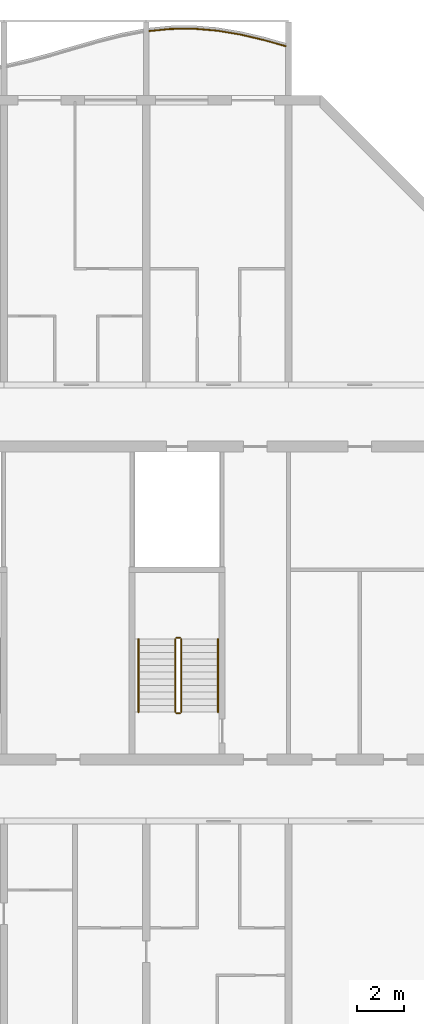
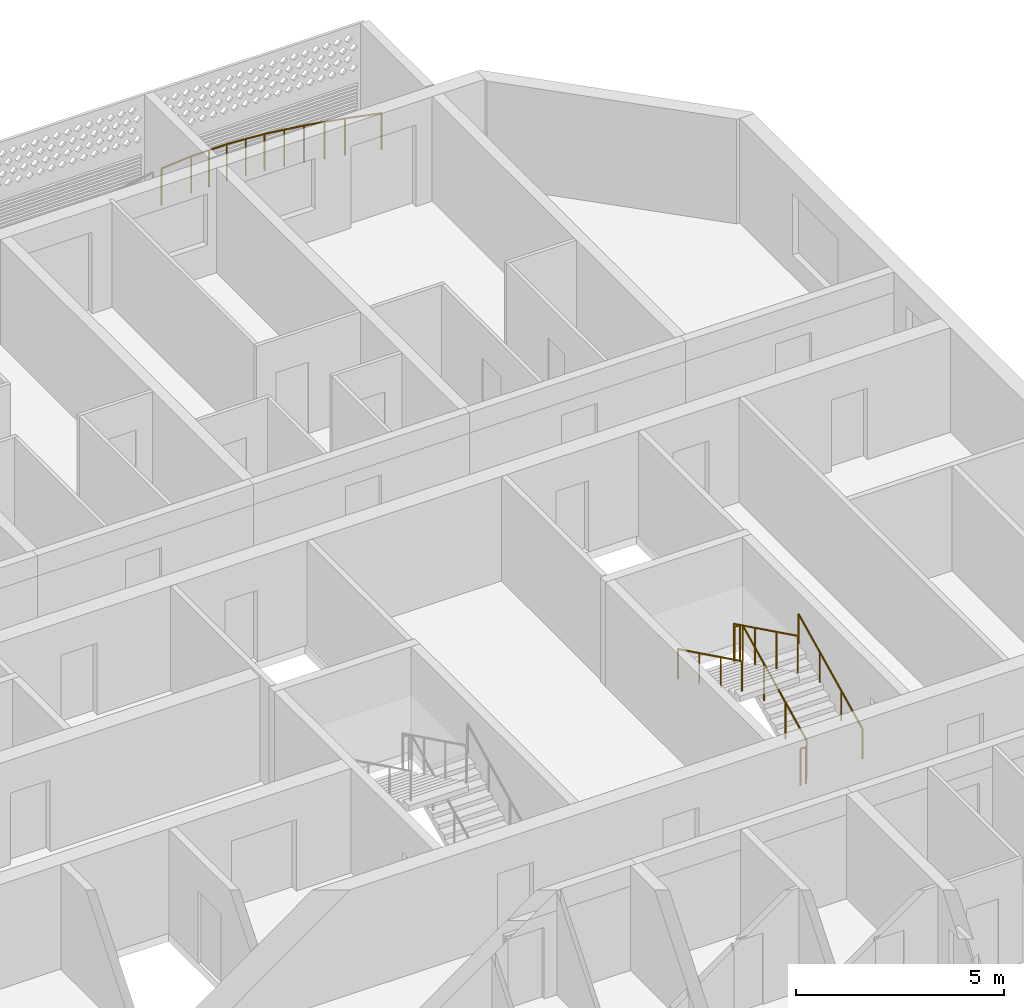
# One storey, part 30 of 31: 7 railings.
"""IFC4 building model written with IfcOpenShell, lengths in metres."""

from ifc_helpers import new_model, si_unit, direction, frame, origin, origin_2d, place, context, subcontext, project, spatial, circle, extrude, material, type_object, element, save


model = new_model("IFC4")

# Units and contexts
model_context = context("Model", 3, precision=1e-05, world=origin(), true_north=direction((0.0, 1.0)))
body_context = subcontext(model_context, "Body", "Model", "MODEL_VIEW")
ifc_project = project(units=[si_unit("LENGTHUNIT", "METRE"), si_unit("AREAUNIT", "SQUARE_METRE"), si_unit("VOLUMEUNIT", "CUBIC_METRE"), si_unit("PLANEANGLEUNIT", "RADIAN"), si_unit("MASSUNIT", "GRAM", prefix="KILO")], contexts=[model_context])

# Site, building, storey
site_placement = place(None, origin())
site = spatial("IfcSite", under=ifc_project, at=site_placement, CompositionType="ELEMENT")
building_placement = place(site_placement, origin())
building = spatial("IfcBuilding", under=site, at=building_placement, Name="Poui Terraces", CompositionType="ELEMENT")
storey_placement = place(building_placement, frame((0.0, 0.0, 142.199951171875)))
storey = spatial("IfcBuildingStorey", under=building, at=storey_placement, Name="L39", CompositionType="ELEMENT", Elevation=142.199951171875)

# Railings
ifc_material_1 = material(Name="Painted steel fretwork", Category="steel")
railing_type_1 = type_object("IfcRailingType", Name="BALCONY GUARD 1100", PredefinedType="GUARDRAIL", material=ifc_material_1)
railing_1_placement = place(storey_placement, frame((78.125, 45.31396484375, 0.0)))
element("IfcRailing", 1, at=railing_1_placement, inside=storey, type_object=railing_type_1, Name="BALCONY GUARD", PredefinedType="GUARDRAIL", context=body_context, shape_type="SweptSolid", body=[
    extrude(circle(Radius=0.02392578125, at=origin_2d()), frame((0.0, 0.0, 1.076171875), z_axis=(0.995048179628, 0.099393763478, 0.0), x_axis=(-0.099393763478, 0.995048179628, 0.0)), (0.0, 0.0, 1.0), 0.87939453125),
    extrude(circle(Radius=0.02392578125, at=origin_2d()), frame((0.875, 0.08740234375, 1.076171875), z_axis=(0.999928452303, 0.011962034708, 0.0), x_axis=(-0.011962034708, 0.999928452303, 0.0)), (0.0, 0.0, 1.0), 1.0),
    extrude(circle(Radius=0.02392578125, at=origin_2d()), frame((1.875, 0.099365234375, 1.076171875), z_axis=(0.99661255374, -0.082240000773, 0.0), x_axis=(0.082240000773, 0.99661255374, 0.0)), (0.0, 0.0, 1.0), 1.00341796875),
    extrude(circle(Radius=0.02392578125, at=origin_2d()), frame((2.875, 0.016845703125, 1.076171875), z_axis=(0.986066669641, -0.166350602715, 0.0), x_axis=(0.166350602715, 0.986066669641, 0.0)), (0.0, 0.0, 1.0), 1.01416015625),
    extrude(circle(Radius=0.02392578125, at=origin_2d()), frame((3.875, -0.15185546875, 1.076171875), z_axis=(0.972979257535, -0.230892538653, 0.0), x_axis=(0.230892538653, 0.972979257535, 0.0)), (0.0, 0.0, 1.0), 1.02783203125),
    extrude(circle(Radius=0.02392578125, at=origin_2d()), frame((4.875, -0.38916015625, 1.076171875), z_axis=(0.963000288712, -0.269500359815, 0.0), x_axis=(0.269500359815, 0.963000288712, 0.0)), (0.0, 0.0, 1.0), 0.90869140625),
    extrude(circle(Radius=0.02099609375, at=origin_2d()), origin(), (0.0, 0.0, 1.0), 1.052001953125),
    extrude(circle(Radius=0.02099609375, at=origin_2d()), frame((0.875, 0.08740234375, 0.0)), (0.0, 0.0, 1.0), 1.052001953125),
    extrude(circle(Radius=0.02099609375, at=origin_2d()), frame((1.375, 0.09326171875, 0.0)), (0.0, 0.0, 1.0), 1.052001953125),
    extrude(circle(Radius=0.02099609375, at=origin_2d()), frame((1.875, 0.099365234375, 0.0)), (0.0, 0.0, 1.0), 1.052001953125),
    extrude(circle(Radius=0.02099609375, at=origin_2d()), frame((2.375, 0.05810546875, 0.0)), (0.0, 0.0, 1.0), 1.052001953125),
    extrude(circle(Radius=0.02099609375, at=origin_2d()), frame((2.875, 0.016845703125, 0.0)), (0.0, 0.0, 1.0), 1.052001953125),
    extrude(circle(Radius=0.02099609375, at=origin_2d()), frame((3.375, -0.0673828125, 0.0)), (0.0, 0.0, 1.0), 1.052001953125),
    extrude(circle(Radius=0.02099609375, at=origin_2d()), frame((3.875, -0.15185546875, 0.0)), (0.0, 0.0, 1.0), 1.052001953125),
    extrude(circle(Radius=0.02099609375, at=origin_2d()), frame((4.375, -0.2705078125, 0.0)), (0.0, 0.0, 1.0), 1.052001953125),
    extrude(circle(Radius=0.02099609375, at=origin_2d()), frame((4.875, -0.38916015625, 0.0)), (0.0, 0.0, 1.0), 1.052001953125),
    extrude(circle(Radius=0.02099609375, at=origin_2d()), frame((5.75, -0.634033203125, 0.0)), (0.0, 0.0, 1.0), 1.052001953125),
])
ifc_material_2 = material(Name="Galvanised steel balustrade", Category="steel")
railing_type_2 = type_object("IfcRailingType", Name="STAIR GUARD 1100", PredefinedType="GUARDRAIL", material=ifc_material_2)
railing_2_placement = place(storey_placement, frame((79.47509765625, 16.60009765625, 0.137451171875)))
element("IfcRailing", 2, at=railing_2_placement, inside=storey, type_object=railing_type_2, Name="L39 ST-E stair guard 1", PredefinedType="GUARDRAIL", context=body_context, shape_type="SweptSolid", body=[
    extrude(circle(Radius=0.02392578125, at=origin_2d()), frame((0.0, 0.0, 1.076171875), z_axis=(0.0, 0.897578036475, 0.440855609512), x_axis=(-1.0, 0.0, 0.0)), (0.0, 0.0, 1.0), 3.43115234375),
    extrude(circle(Radius=0.02099609375, at=origin_2d()), origin(), (0.0, 0.0, 1.0), 1.052001953125),
    extrude(circle(Radius=0.02099609375, at=origin_2d()), frame((0.0, 1.026611328125, 0.504150390625)), (0.0, 0.0, 1.0), 1.052001953125),
    extrude(circle(Radius=0.02099609375, at=origin_2d()), frame((0.0, 2.05322265625, 1.008544921875)), (0.0, 0.0, 1.0), 1.052001953125),
    extrude(circle(Radius=0.02099609375, at=origin_2d()), frame((0.0, 3.079833984375, 1.5126953125)), (0.0, 0.0, 1.0), 1.052001953125),
])
railing_3_placement = place(storey_placement, frame((79.425048828125, 19.72998046875, 1.650146484375)))
element("IfcRailing", 3, at=railing_3_placement, inside=storey, type_object=railing_type_2, Name="L39 ST-E stair guard 2", PredefinedType="GUARDRAIL", context=body_context, shape_type="SweptSolid", body=[
    extrude(circle(Radius=0.02392578125, at=origin_2d()), frame((0.0, 0.0, 1.076171875), z_axis=(-1.0, 0.0, 0.0), x_axis=(0.0, -1.0, 0.0)), (0.0, 0.0, 1.0), 0.150146484375),
    extrude(circle(Radius=0.02099609375, at=origin_2d()), origin(), (0.0, 0.0, 1.0), 1.052001953125),
    extrude(circle(Radius=0.02099609375, at=origin_2d()), frame((-0.150146484375, 0.0, 0.0)), (0.0, 0.0, 1.0), 1.052001953125),
])
railing_4_placement = place(storey_placement, frame((79.22509765625, 19.679931640625, 1.78759765625)))
element("IfcRailing", 4, at=railing_4_placement, inside=storey, type_object=railing_type_2, Name="L39 ST-E stair guard 3", PredefinedType="GUARDRAIL", context=body_context, shape_type="SweptSolid", body=[
    extrude(circle(Radius=0.02392578125, at=origin_2d()), frame((0.0, 0.0, 1.076171875), z_axis=(0.0, -0.897606190399, 0.440798283751), x_axis=(1.0, 0.0, 0.0)), (0.0, 0.0, 1.0), 3.43115234375),
    extrude(circle(Radius=0.02099609375, at=origin_2d()), origin(), (0.0, 0.0, 1.0), 1.052001953125),
    extrude(circle(Radius=0.02099609375, at=origin_2d()), frame((0.0, -1.026611328125, 0.504150390625)), (0.0, 0.0, 1.0), 1.052001953125),
    extrude(circle(Radius=0.02099609375, at=origin_2d()), frame((0.0, -2.05322265625, 1.00830078125)), (0.0, 0.0, 1.0), 1.052001953125),
    extrude(circle(Radius=0.02099609375, at=origin_2d()), frame((0.0, -3.079833984375, 1.512451171875)), (0.0, 0.0, 1.0), 1.052001953125),
])
railing_5_placement = place(storey_placement, frame((79.425048828125, 16.550048828125, 0.0)))
element("IfcRailing", 5, at=railing_5_placement, inside=storey, type_object=railing_type_2, Name="L39 ST-E stair guard 4", PredefinedType="GUARDRAIL", context=body_context, shape_type="SweptSolid", body=[
    extrude(circle(Radius=0.02392578125, at=origin_2d()), frame((0.0, 0.0, 1.076171875), z_axis=(-1.0, 0.0, 0.0), x_axis=(0.0, -1.0, 0.0)), (0.0, 0.0, 1.0), 0.150146484375),
    extrude(circle(Radius=0.02099609375, at=origin_2d()), origin(), (0.0, 0.0, 1.0), 1.052001953125),
    extrude(circle(Radius=0.02099609375, at=origin_2d()), frame((-0.150146484375, 0.0, 0.0)), (0.0, 0.0, 1.0), 1.052001953125),
])
ifc_material_3 = material(Name="Stainless steel handrail", Category="steel")
railing_type_3 = type_object("IfcRailingType", Name="STAIR HANDRAIL 900", PredefinedType="HANDRAIL", material=ifc_material_3)
railing_6_placement = place(storey_placement, frame((81.02490234375, 16.60009765625, 0.137451171875)))
element("IfcRailing", 6, at=railing_6_placement, inside=storey, type_object=railing_type_3, Name="L39 ST-E stair handrail 1", PredefinedType="HANDRAIL", context=body_context, shape_type="SweptSolid", body=[
    extrude(circle(Radius=0.02392578125, at=origin_2d()), frame((0.0, 0.0, 0.8759765625), z_axis=(0.0, 0.897578036475, 0.440855609512), x_axis=(-1.0, 0.0, 0.0)), (0.0, 0.0, 1.0), 3.43115234375),
    extrude(circle(Radius=0.02099609375, at=origin_2d()), origin(), (0.0, 0.0, 1.0), 0.851806640625),
    extrude(circle(Radius=0.02099609375, at=origin_2d()), frame((0.0, 1.026611328125, 0.504150390625)), (0.0, 0.0, 1.0), 0.851806640625),
    extrude(circle(Radius=0.02099609375, at=origin_2d()), frame((0.0, 2.05322265625, 1.008544921875)), (0.0, 0.0, 1.0), 0.851806640625),
    extrude(circle(Radius=0.02099609375, at=origin_2d()), frame((0.0, 3.079833984375, 1.5126953125)), (0.0, 0.0, 1.0), 0.851806640625),
])
railing_7_placement = place(storey_placement, frame((77.675048828125, 19.679931640625, 1.78759765625)))
element("IfcRailing", 7, at=railing_7_placement, inside=storey, type_object=railing_type_3, Name="L39 ST-E stair handrail 2", PredefinedType="HANDRAIL", context=body_context, shape_type="SweptSolid", body=[
    extrude(circle(Radius=0.02392578125, at=origin_2d()), frame((0.0, 0.0, 0.8759765625), z_axis=(0.0, -0.897606190399, 0.440798283751), x_axis=(1.0, 0.0, 0.0)), (0.0, 0.0, 1.0), 3.43115234375),
    extrude(circle(Radius=0.02099609375, at=origin_2d()), origin(), (0.0, 0.0, 1.0), 0.851806640625),
    extrude(circle(Radius=0.02099609375, at=origin_2d()), frame((0.0, -1.026611328125, 0.504150390625)), (0.0, 0.0, 1.0), 0.851806640625),
    extrude(circle(Radius=0.02099609375, at=origin_2d()), frame((0.0, -2.05322265625, 1.00830078125)), (0.0, 0.0, 1.0), 0.851806640625),
    extrude(circle(Radius=0.02099609375, at=origin_2d()), frame((0.0, -3.079833984375, 1.512451171875)), (0.0, 0.0, 1.0), 0.851806640625),
])

save(model, "model.ifc")
